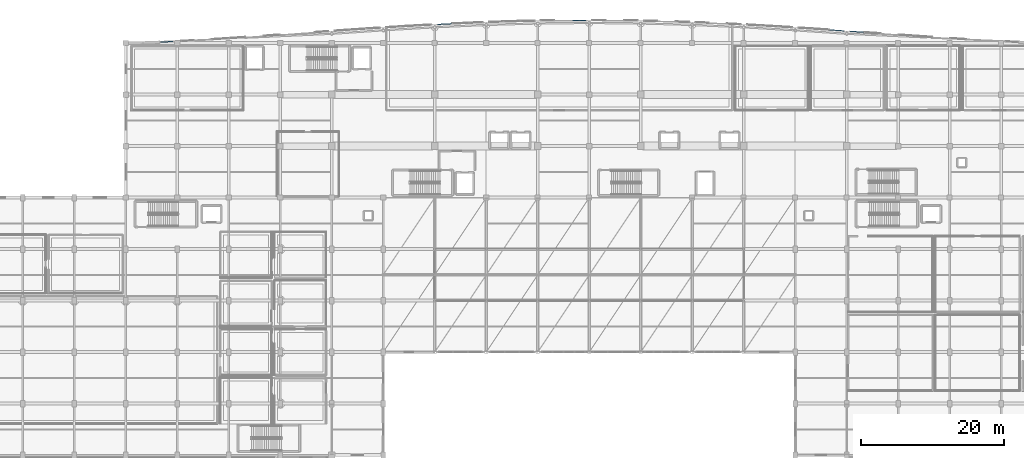
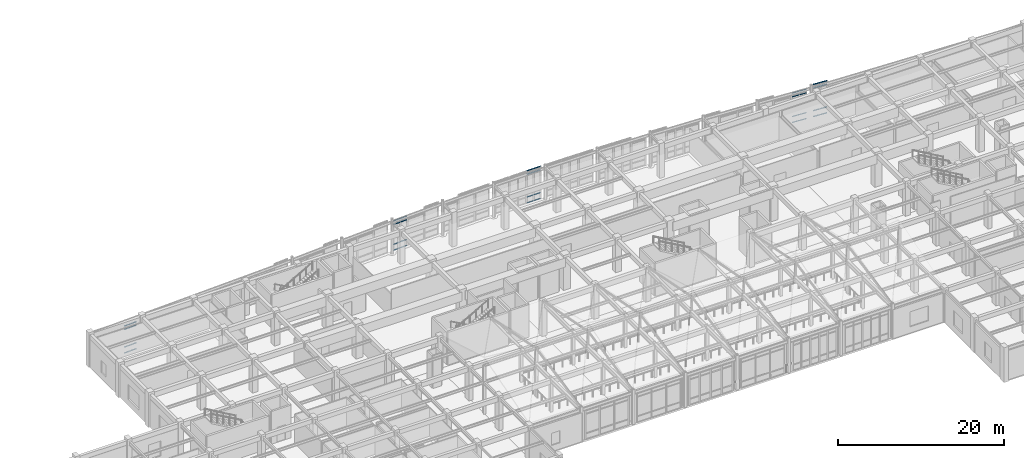
# One storey, part 66 of 117: 40 members, 5 elements without a shape of their own.
"""IFC4 building model written with IfcOpenShell, lengths in metres."""

import ifcopenshell
import ifcopenshell.guid

model = None  # the IFC model being written
_history = None  # IfcOwnerHistory: only IFC2X3 demands one
_inside = {}  # id of a spatial element -> (the spatial element, [elements in it])
_under = {}  # id of a project, library or spatial element -> (it, [spatial elements below it])
_declared = {}  # id of a project -> (the project, [libraries it declares])
_typed = {}  # id of a type object -> (the type object, [elements of that type])
_made_of = {}  # id of a material, layer set ... -> (it, [elements and type objects made of it])


def new_model(schema):
    """Start an empty IFC model of exactly this schema.

    Asked for "IFC4X3", IfcOpenShell would pick the latest addendum, in which some entities
    have other attributes; the version numbers below select the first issue.
    IFC2X3 requires an IfcOwnerHistory on every rooted entity: one is made here for all.
    """
    global model, _history
    if schema == "IFC4X3":
        model = ifcopenshell.file(schema_version=(4, 3, 0, 0))
    else:
        model = ifcopenshell.file(schema=schema)
    _inside.clear()
    _under.clear()
    _declared.clear()
    _typed.clear()
    _made_of.clear()
    _history = None
    if model.schema == "IFC2X3":
        org = make("IfcOrganization", Name="unknown")
        user = make(
            "IfcPersonAndOrganization",
            ThePerson=make("IfcPerson", FamilyName="unknown"),
            TheOrganization=org,
        )
        app = make(
            "IfcApplication",
            ApplicationDeveloper=org,
            Version="unknown",
            ApplicationFullName="unknown",
            ApplicationIdentifier="unknown",
        )
        _history = make(
            "IfcOwnerHistory",
            OwningUser=user,
            OwningApplication=app,
            ChangeAction="ADDED",
            CreationDate=0,
        )
    return model


def make(cls, **values):
    """One entity of the class cls with the attributes given. An attribute that is None is left unset."""
    return model.create_entity(
        cls, **{name: value for name, value in values.items() if value is not None}
    )


def rooted(cls, **values):
    """An entity with a GlobalId (a new one), such as an element, a storey or a relation."""
    return make(cls, GlobalId=ifcopenshell.guid.new(), OwnerHistory=_history, **values)


def si_unit(unit_type, name, prefix=None):
    """IfcSIUnit, for example si_unit("LENGTHUNIT", "METRE", prefix="MILLI")."""
    return make("IfcSIUnit", UnitType=unit_type, Prefix=prefix, Name=name)


def assignment(units):
    """IfcUnitAssignment: the units of a project."""
    return None if units is None else make("IfcUnitAssignment", Units=units)


def point(xyz):
    """IfcCartesianPoint."""
    return None if xyz is None else make("IfcCartesianPoint", Coordinates=xyz)


def direction(xyz):
    """IfcDirection."""
    return None if xyz is None else make("IfcDirection", DirectionRatios=xyz)


def frame(location, z_axis=None, x_axis=None):
    """IfcAxis2Placement3D, a coordinate frame: its origin and axes. An axis left out is left unset."""
    return make(
        "IfcAxis2Placement3D",
        Location=point(location),
        Axis=direction(z_axis),
        RefDirection=direction(x_axis),
    )


def frame_2d(location, x_axis=None):
    """IfcAxis2Placement2D, a coordinate frame in the plane: its origin and x axis."""
    return make(
        "IfcAxis2Placement2D", Location=point(location), RefDirection=direction(x_axis)
    )


def origin():
    """The frame at (0, 0, 0) with its axes left unset."""
    return frame((0.0, 0.0, 0.0))


def origin_2d():
    """The frame at (0, 0) in the plane with its x axis left unset."""
    return frame_2d((0.0, 0.0))


def place(relative_to, where):
    """IfcLocalPlacement: puts the frame where relative to a parent placement (None: the world)."""
    return make(
        "IfcLocalPlacement", PlacementRelTo=relative_to, RelativePlacement=where
    )


def context(
    kind, dimensions, precision=None, world=None, true_north=None, identifier=None
):
    """IfcGeometricRepresentationContext, for example the 3D "Model" context."""
    return make(
        "IfcGeometricRepresentationContext",
        ContextIdentifier=identifier,
        ContextType=kind,
        CoordinateSpaceDimension=dimensions,
        Precision=precision,
        WorldCoordinateSystem=world,
        TrueNorth=true_north,
    )


def subcontext(parent, identifier, kind, view, scale=None):
    """IfcGeometricRepresentationSubContext, for example "Body" below "Model"."""
    return make(
        "IfcGeometricRepresentationSubContext",
        ContextIdentifier=identifier,
        ContextType=kind,
        ParentContext=parent,
        TargetScale=scale,
        TargetView=view,
    )


def project(units=None, contexts=None):
    """IfcProject with its units and contexts."""
    return rooted(
        "IfcProject",
        Name="project",
        RepresentationContexts=contexts,
        UnitsInContext=assignment(units),
    )


def spatial(cls, under=None, at=None, **own):
    """A site, building, storey or space (cls), placed at a placement, below another one or the project."""
    s = rooted(cls, ObjectPlacement=at, **own)
    if under is not None:
        _under.setdefault(under.id(), (under, []))[1].append(s)
    return s


def profile(cls, at=None, kind="AREA", **sizes):
    """A parametric profile (cls). Its sizes go by their IFC names, for example OverallWidth=200.0."""
    return make(cls, ProfileType=kind, Position=at, **sizes)


def hollow_rectangle(**sizes):
    """IfcRectangleHollowProfileDef."""
    return profile("IfcRectangleHollowProfileDef", **sizes)


def extrude(swept, where, along, depth):
    """IfcExtrudedAreaSolid: the profile swept, set in the frame where, extruded along a direction by depth."""
    return make(
        "IfcExtrudedAreaSolid",
        SweptArea=swept,
        Position=where,
        ExtrudedDirection=direction(along),
        Depth=depth,
    )


def shape(context_of_items, identifier, shape_type, items):
    """IfcShapeRepresentation: the items that make up one representation, for example the "Body"."""
    return make(
        "IfcShapeRepresentation",
        ContextOfItems=context_of_items,
        RepresentationIdentifier=identifier,
        RepresentationType=shape_type,
        Items=items,
    )


def material(Name=None, Category=None):
    """IfcMaterial."""
    return make("IfcMaterial", Name=Name, Category=Category)


def layer(
    of_material, thickness, ventilated=None, Name=None, Category=None, Priority=None
):
    """IfcMaterialLayer: one layer of a wall or slab, of a material (None: an air gap)."""
    return make(
        "IfcMaterialLayer",
        Material=of_material,
        LayerThickness=thickness,
        IsVentilated=ventilated,
        Name=Name,
        Category=Category,
        Priority=Priority,
    )


def layer_set(layers, Name=None):
    """IfcMaterialLayerSet."""
    return make("IfcMaterialLayerSet", MaterialLayers=layers, LayerSetName=Name)


def material_profile(
    of_material, cross_section, Name=None, Category=None, Priority=None
):
    """IfcMaterialProfile: a cross section and its material."""
    return make(
        "IfcMaterialProfile",
        Name=Name,
        Material=of_material,
        Profile=cross_section,
        Priority=Priority,
        Category=Category,
    )


def profile_set(profiles, Name=None, composite=None):
    """IfcMaterialProfileSet."""
    return make(
        "IfcMaterialProfileSet",
        Name=Name,
        MaterialProfiles=profiles,
        CompositeProfile=composite,
    )


def made_of(thing, what):
    """Note that an element or type object is made of a material, layer set ...; save() writes the relation."""
    if what is not None:
        _made_of.setdefault(what.id(), (what, []))[1].append(thing)
    return thing


def type_object(cls, material=None, **own):
    """A type object (cls), such as IfcWallType, which elements share."""
    return made_of(rooted(cls, **own), material)


def element(
    cls,
    number,
    at=None,
    inside=None,
    cuts=None,
    type_object=None,
    material=None,
    context=None,
    identifier="Body",
    shape_type=None,
    held_by="IfcProductDefinitionShape",
    body=None,
    shapes=None,
    **own,
):
    """One element of the class cls, such as IfcWall. Its Tag is "e" and its number.

    at: its placement. inside: the storey or other place that contains it. cuts: it is an
    opening in that element (IfcRelVoidsElement). A single representation is given by context,
    identifier, shape_type and body (its items); several are given by shapes. held_by: the class
    of the entity that holds the representations. save() writes the other relations.
    """
    e = rooted(cls, Tag="e%d" % number, ObjectPlacement=at, **own)
    if body is not None:
        shapes = [shape(context, identifier, shape_type, body)]
    if shapes is not None:
        e.Representation = make(held_by, Representations=shapes)
    if inside is not None:
        _inside.setdefault(inside.id(), (inside, []))[1].append(e)
    if cuts is not None:
        rooted(
            "IfcRelVoidsElement", RelatingBuildingElement=cuts, RelatedOpeningElement=e
        )
    if type_object is not None:
        _typed.setdefault(type_object.id(), (type_object, []))[1].append(e)
    return made_of(e, material)


def aggregate(whole, parts):
    """IfcRelAggregates: a whole, such as a stair, and the parts it consists of."""
    return rooted("IfcRelAggregates", RelatingObject=whole, RelatedObjects=parts)


def save(model, path):
    """Write the relations noted so far, then the file.

    IfcRelAggregates (storeys below a building ...), IfcRelContainedInSpatialStructure (elements
    in a storey), IfcRelDefinesByType, IfcRelAssociatesMaterial and IfcRelDeclares: one each for
    every whole, place, type object, material and project.
    """
    for whole, parts in _under.values():
        aggregate(whole, parts)
    for where, things in _inside.values():
        rooted(
            "IfcRelContainedInSpatialStructure",
            RelatedElements=things,
            RelatingStructure=where,
        )
    for kind, things in _typed.values():
        rooted("IfcRelDefinesByType", RelatedObjects=things, RelatingType=kind)
    for what, things in _made_of.values():
        rooted("IfcRelAssociatesMaterial", RelatedObjects=things, RelatingMaterial=what)
    for by, libraries in _declared.values():
        rooted("IfcRelDeclares", RelatingContext=by, RelatedDefinitions=libraries)
    model.write(path)


model = new_model("IFC4")

# Units and contexts
model_context = context("Model", 3, precision=1e-05, world=origin(), true_north=direction((0.0, 1.0)))
body_context = subcontext(model_context, "Body", "Model", "MODEL_VIEW")
ifc_project = project(units=[si_unit("LENGTHUNIT", "METRE"), si_unit("AREAUNIT", "SQUARE_METRE"), si_unit("VOLUMEUNIT", "CUBIC_METRE"), si_unit("PLANEANGLEUNIT", "RADIAN"), si_unit("MASSUNIT", "GRAM", prefix="KILO")], contexts=[model_context])

# Site, building, storey
site_placement = place(None, origin())
site = spatial("IfcSite", under=ifc_project, at=site_placement, CompositionType="ELEMENT")
building_placement = place(site_placement, origin())
building = spatial("IfcBuilding", under=site, at=building_placement, Name="Carrowvane Square Congress Hotel", CompositionType="ELEMENT")
storey_placement = place(building_placement, frame((0.0, 0.0, 5.39990234375)))
storey = spatial("IfcBuildingStorey", under=building, at=storey_placement, Name="L01", CompositionType="ELEMENT", Elevation=5.39990234375)

# Curtain wall, members
ifc_material_1 = material(Name="Anodised aluminium", Category="aluminium")
ifc_layer_1 = layer(ifc_material_1, 0.23388671875)
ifc_layer_set_1 = layer_set([ifc_layer_1], Name="Anodised aluminium")
curtain_wall_type_1 = type_object("IfcCurtainWallType", Name="CW-SYS-7", PredefinedType="NOTDEFINED", material=ifc_layer_set_1)
curtain_wall_1_placement = place(storey_placement, origin())
curtain_wall_1 = element("IfcCurtainWall", 1, at=curtain_wall_1_placement, inside=storey, type_object=curtain_wall_type_1, Name="L01 unitised curtain wall 102", PredefinedType="NOTDEFINED")
ifc_material_2 = material(Name="Anodised aluminium", Category="aluminium")
ifc_material_profile_1 = material_profile(ifc_material_2, hollow_rectangle(XDim=0.06005859375, YDim=0.1298828125, WallThickness=0.00390625, at=origin_2d()), Name="CW-TR 60x130x4")
ifc_profile_set_1 = profile_set([ifc_material_profile_1], Name="Anodised aluminium")
member_type_1 = type_object("IfcMemberType", Name="CW-TRN-1", PredefinedType="USERDEFINED", material=ifc_profile_set_1)
member_1_placement = place(storey_placement, frame((131.659912109375, 115.24951171875, 0.030029296875), z_axis=(0.997561151835, -0.069797910781, 0.0), x_axis=(0.069797910781, 0.997561151835, 0.0)))
member_1 = element("IfcMember", 2, at=member_1_placement, type_object=member_type_1, Name="CW-7 transom 1.1", ObjectType="TRANSOM", PredefinedType="USERDEFINED", context=body_context, shape_type="SweptSolid", body=[
    extrude(hollow_rectangle(XDim=0.06005859375, YDim=0.1298828125, WallThickness=0.00390625, at=origin_2d()), origin(), (0.0, 0.0, 1.0), 0.933837890625),
])
member_2_placement = place(storey_placement, frame((131.659912109375, 115.24951171875, 0.900146484375), z_axis=(0.997561151835, -0.069797910781, 0.0), x_axis=(0.069797910781, 0.997561151835, 0.0)))
member_2 = element("IfcMember", 3, at=member_2_placement, type_object=member_type_1, Name="CW-7 transom 1.2", ObjectType="TRANSOM", PredefinedType="USERDEFINED", context=body_context, shape_type="SweptSolid", body=[
    extrude(hollow_rectangle(XDim=0.06005859375, YDim=0.1298828125, WallThickness=0.00390625, at=origin_2d()), origin(), (0.0, 0.0, 1.0), 0.933837890625),
])
member_3_placement = place(storey_placement, frame((131.659912109375, 115.24951171875, 3.8056640625), z_axis=(0.997561151835, -0.069797910781, 0.0), x_axis=(0.069797910781, 0.997561151835, 0.0)))
member_3 = element("IfcMember", 4, at=member_3_placement, type_object=member_type_1, Name="CW-7 transom 1.3", ObjectType="TRANSOM", PredefinedType="USERDEFINED", context=body_context, shape_type="SweptSolid", body=[
    extrude(hollow_rectangle(XDim=0.06005859375, YDim=0.1298828125, WallThickness=0.00390625, at=origin_2d()), origin(), (0.0, 0.0, 1.0), 0.933837890625),
])
member_4_placement = place(storey_placement, frame((131.659912109375, 115.24951171875, 4.32568359375), z_axis=(0.997561151835, -0.069797910781, 0.0), x_axis=(0.069797910781, 0.997561151835, 0.0)))
member_4 = element("IfcMember", 5, at=member_4_placement, type_object=member_type_1, Name="CW-7 transom 1.4", ObjectType="TRANSOM", PredefinedType="USERDEFINED", context=body_context, shape_type="SweptSolid", body=[
    extrude(hollow_rectangle(XDim=0.06005859375, YDim=0.1298828125, WallThickness=0.00390625, at=origin_2d()), origin(), (0.0, 0.0, 1.0), 0.933837890625),
])
member_5_placement = place(storey_placement, frame((132.6513671875, 115.18017578125, 0.030029296875), z_axis=(0.997578055403, -0.069555901111, 0.0), x_axis=(0.069555901111, 0.997578055403, 0.0)))
member_5 = element("IfcMember", 6, at=member_5_placement, type_object=member_type_1, Name="CW-7 transom 2.1", ObjectType="TRANSOM", PredefinedType="USERDEFINED", context=body_context, shape_type="SweptSolid", body=[
    extrude(hollow_rectangle(XDim=0.06005859375, YDim=0.1298828125, WallThickness=0.00390625, at=origin_2d()), origin(), (0.0, 0.0, 1.0), 0.93359375),
])
member_6_placement = place(storey_placement, frame((132.6513671875, 115.18017578125, 0.900146484375), z_axis=(0.997578055403, -0.069555901111, 0.0), x_axis=(0.069555901111, 0.997578055403, 0.0)))
member_6 = element("IfcMember", 7, at=member_6_placement, type_object=member_type_1, Name="CW-7 transom 2.2", ObjectType="TRANSOM", PredefinedType="USERDEFINED", context=body_context, shape_type="SweptSolid", body=[
    extrude(hollow_rectangle(XDim=0.06005859375, YDim=0.1298828125, WallThickness=0.00390625, at=origin_2d()), origin(), (0.0, 0.0, 1.0), 0.93359375),
])
member_7_placement = place(storey_placement, frame((132.6513671875, 115.18017578125, 3.8056640625), z_axis=(0.997578055403, -0.069555901111, 0.0), x_axis=(0.069555901111, 0.997578055403, 0.0)))
member_7 = element("IfcMember", 8, at=member_7_placement, type_object=member_type_1, Name="CW-7 transom 2.3", ObjectType="TRANSOM", PredefinedType="USERDEFINED", context=body_context, shape_type="SweptSolid", body=[
    extrude(hollow_rectangle(XDim=0.06005859375, YDim=0.1298828125, WallThickness=0.00390625, at=origin_2d()), origin(), (0.0, 0.0, 1.0), 0.93359375),
])
member_8_placement = place(storey_placement, frame((132.6513671875, 115.18017578125, 4.32568359375), z_axis=(0.997578055403, -0.069555901111, 0.0), x_axis=(0.069555901111, 0.997578055403, 0.0)))
member_8 = element("IfcMember", 9, at=member_8_placement, type_object=member_type_1, Name="CW-7 transom 2.4", ObjectType="TRANSOM", PredefinedType="USERDEFINED", context=body_context, shape_type="SweptSolid", body=[
    extrude(hollow_rectangle(XDim=0.06005859375, YDim=0.1298828125, WallThickness=0.00390625, at=origin_2d()), origin(), (0.0, 0.0, 1.0), 0.93359375),
])
aggregate(curtain_wall_1, [member_1, member_2, member_3, member_4, member_5, member_6, member_7, member_8])

ifc_material_3 = material(Name="Anodised aluminium", Category="aluminium")
ifc_layer_2 = layer(ifc_material_3, 0.24609375)
ifc_layer_set_2 = layer_set([ifc_layer_2], Name="Anodised aluminium")
curtain_wall_type_2 = type_object("IfcCurtainWallType", Name="CW-SYS-8", PredefinedType="NOTDEFINED", material=ifc_layer_set_2)
curtain_wall_2_placement = place(storey_placement, origin())
curtain_wall_2 = element("IfcCurtainWall", 10, at=curtain_wall_2_placement, inside=storey, type_object=curtain_wall_type_2, Name="L01 unitised curtain wall 63", PredefinedType="NOTDEFINED")
ifc_material_4 = material(Name="Anodised aluminium", Category="aluminium")
ifc_material_profile_2 = material_profile(ifc_material_4, hollow_rectangle(XDim=0.070068359375, YDim=0.14990234375, WallThickness=0.0048828125, at=origin_2d()), Name="CW-TR 70x150x5")
ifc_profile_set_2 = profile_set([ifc_material_profile_2], Name="Anodised aluminium")
member_type_2 = type_object("IfcMemberType", Name="CW-TRN-2", PredefinedType="USERDEFINED", material=ifc_profile_set_2)
member_9_placement = place(storey_placement, frame((38.06982421875, 113.544189453125, 0.03515625), z_axis=(0.99891720565, 0.04652328724, 0.0), x_axis=(-0.04652328724, 0.99891720565, 0.0)))
member_9 = element("IfcMember", 11, at=member_9_placement, type_object=member_type_2, Name="CW-8 transom 1.1", ObjectType="TRANSOM", PredefinedType="USERDEFINED", context=body_context, shape_type="SweptSolid", body=[
    extrude(hollow_rectangle(XDim=0.070068359375, YDim=0.14990234375, WallThickness=0.0048828125, at=origin_2d()), origin(), (0.0, 0.0, 1.0), 0.823974609375),
])
member_10_placement = place(storey_placement, frame((38.06982421875, 113.544189453125, 0.900146484375), z_axis=(0.99891720565, 0.04652328724, 0.0), x_axis=(-0.04652328724, 0.99891720565, 0.0)))
member_10 = element("IfcMember", 12, at=member_10_placement, type_object=member_type_2, Name="CW-8 transom 1.2", ObjectType="TRANSOM", PredefinedType="USERDEFINED", context=body_context, shape_type="SweptSolid", body=[
    extrude(hollow_rectangle(XDim=0.070068359375, YDim=0.14990234375, WallThickness=0.0048828125, at=origin_2d()), origin(), (0.0, 0.0, 1.0), 0.823974609375),
])
member_11_placement = place(storey_placement, frame((38.06982421875, 113.544189453125, 3.465087890625), z_axis=(0.99891720565, 0.04652328724, 0.0), x_axis=(-0.04652328724, 0.99891720565, 0.0)))
member_11 = element("IfcMember", 13, at=member_11_placement, type_object=member_type_2, Name="CW-8 transom 1.3", ObjectType="TRANSOM", PredefinedType="USERDEFINED", context=body_context, shape_type="SweptSolid", body=[
    extrude(hollow_rectangle(XDim=0.070068359375, YDim=0.14990234375, WallThickness=0.0048828125, at=origin_2d()), origin(), (0.0, 0.0, 1.0), 0.823974609375),
])
member_12_placement = place(storey_placement, frame((38.06982421875, 113.544189453125, 3.97998046875), z_axis=(0.99891720565, 0.04652328724, 0.0), x_axis=(-0.04652328724, 0.99891720565, 0.0)))
member_12 = element("IfcMember", 14, at=member_12_placement, type_object=member_type_2, Name="CW-8 transom 1.4", ObjectType="TRANSOM", PredefinedType="USERDEFINED", context=body_context, shape_type="SweptSolid", body=[
    extrude(hollow_rectangle(XDim=0.070068359375, YDim=0.14990234375, WallThickness=0.0048828125, at=origin_2d()), origin(), (0.0, 0.0, 1.0), 0.823974609375),
])
member_13_placement = place(storey_placement, frame((38.962646484375, 113.585693359375, 0.03515625), z_axis=(0.99891720565, 0.04652328724, 0.0), x_axis=(-0.04652328724, 0.99891720565, 0.0)))
member_13 = element("IfcMember", 15, at=member_13_placement, type_object=member_type_2, Name="CW-8 transom 2.1", ObjectType="TRANSOM", PredefinedType="USERDEFINED", context=body_context, shape_type="SweptSolid", body=[
    extrude(hollow_rectangle(XDim=0.070068359375, YDim=0.14990234375, WallThickness=0.0048828125, at=origin_2d()), origin(), (0.0, 0.0, 1.0), 0.823974609375),
])
member_14_placement = place(storey_placement, frame((38.962646484375, 113.585693359375, 0.900146484375), z_axis=(0.99891720565, 0.04652328724, 0.0), x_axis=(-0.04652328724, 0.99891720565, 0.0)))
member_14 = element("IfcMember", 16, at=member_14_placement, type_object=member_type_2, Name="CW-8 transom 2.2", ObjectType="TRANSOM", PredefinedType="USERDEFINED", context=body_context, shape_type="SweptSolid", body=[
    extrude(hollow_rectangle(XDim=0.070068359375, YDim=0.14990234375, WallThickness=0.0048828125, at=origin_2d()), origin(), (0.0, 0.0, 1.0), 0.823974609375),
])
member_15_placement = place(storey_placement, frame((38.962646484375, 113.585693359375, 3.465087890625), z_axis=(0.99891720565, 0.04652328724, 0.0), x_axis=(-0.04652328724, 0.99891720565, 0.0)))
member_15 = element("IfcMember", 17, at=member_15_placement, type_object=member_type_2, Name="CW-8 transom 2.3", ObjectType="TRANSOM", PredefinedType="USERDEFINED", context=body_context, shape_type="SweptSolid", body=[
    extrude(hollow_rectangle(XDim=0.070068359375, YDim=0.14990234375, WallThickness=0.0048828125, at=origin_2d()), origin(), (0.0, 0.0, 1.0), 0.823974609375),
])
member_16_placement = place(storey_placement, frame((38.962646484375, 113.585693359375, 3.97998046875), z_axis=(0.99891720565, 0.04652328724, 0.0), x_axis=(-0.04652328724, 0.99891720565, 0.0)))
member_16 = element("IfcMember", 18, at=member_16_placement, type_object=member_type_2, Name="CW-8 transom 2.4", ObjectType="TRANSOM", PredefinedType="USERDEFINED", context=body_context, shape_type="SweptSolid", body=[
    extrude(hollow_rectangle(XDim=0.070068359375, YDim=0.14990234375, WallThickness=0.0048828125, at=origin_2d()), origin(), (0.0, 0.0, 1.0), 0.823974609375),
])
aggregate(curtain_wall_2, [member_9, member_10, member_11, member_12, member_13, member_14, member_15, member_16])

curtain_wall_3_placement = place(storey_placement, origin())
curtain_wall_3 = element("IfcCurtainWall", 19, at=curtain_wall_3_placement, inside=storey, type_object=curtain_wall_type_2, Name="L01 unitised curtain wall 79", PredefinedType="NOTDEFINED")
member_17_placement = place(storey_placement, frame((76.83447265625, 116.01953125, 0.03515625), z_axis=(0.998738311193, 0.050217384997, 0.0), x_axis=(-0.050217384997, 0.998738311193, 0.0)))
member_17 = element("IfcMember", 20, at=member_17_placement, type_object=member_type_2, Name="CW-8 transom 1.1", ObjectType="TRANSOM", PredefinedType="USERDEFINED", context=body_context, shape_type="SweptSolid", body=[
    extrude(hollow_rectangle(XDim=0.070068359375, YDim=0.14990234375, WallThickness=0.0048828125, at=origin_2d()), origin(), (0.0, 0.0, 1.0), 0.9140625),
])
member_18_placement = place(storey_placement, frame((76.83447265625, 116.01953125, 0.900146484375), z_axis=(0.998738311193, 0.050217384997, 0.0), x_axis=(-0.050217384997, 0.998738311193, 0.0)))
member_18 = element("IfcMember", 21, at=member_18_placement, type_object=member_type_2, Name="CW-8 transom 1.2", ObjectType="TRANSOM", PredefinedType="USERDEFINED", context=body_context, shape_type="SweptSolid", body=[
    extrude(hollow_rectangle(XDim=0.070068359375, YDim=0.14990234375, WallThickness=0.0048828125, at=origin_2d()), origin(), (0.0, 0.0, 1.0), 0.9140625),
])
member_19_placement = place(storey_placement, frame((76.83447265625, 116.01953125, 3.8056640625), z_axis=(0.998738311193, 0.050217384997, 0.0), x_axis=(-0.050217384997, 0.998738311193, 0.0)))
member_19 = element("IfcMember", 22, at=member_19_placement, type_object=member_type_2, Name="CW-8 transom 1.3", ObjectType="TRANSOM", PredefinedType="USERDEFINED", context=body_context, shape_type="SweptSolid", body=[
    extrude(hollow_rectangle(XDim=0.070068359375, YDim=0.14990234375, WallThickness=0.0048828125, at=origin_2d()), origin(), (0.0, 0.0, 1.0), 0.9140625),
])
member_20_placement = place(storey_placement, frame((76.83447265625, 116.01953125, 4.32080078125), z_axis=(0.998738311193, 0.050217384997, 0.0), x_axis=(-0.050217384997, 0.998738311193, 0.0)))
member_20 = element("IfcMember", 23, at=member_20_placement, type_object=member_type_2, Name="CW-8 transom 1.4", ObjectType="TRANSOM", PredefinedType="USERDEFINED", context=body_context, shape_type="SweptSolid", body=[
    extrude(hollow_rectangle(XDim=0.070068359375, YDim=0.14990234375, WallThickness=0.0048828125, at=origin_2d()), origin(), (0.0, 0.0, 1.0), 0.9140625),
])
member_21_placement = place(storey_placement, frame((77.817138671875, 116.069091796875, 0.03515625), z_axis=(0.998738311193, 0.050217384997, 0.0), x_axis=(-0.050217384997, 0.998738311193, 0.0)))
member_21 = element("IfcMember", 24, at=member_21_placement, type_object=member_type_2, Name="CW-8 transom 2.1", ObjectType="TRANSOM", PredefinedType="USERDEFINED", context=body_context, shape_type="SweptSolid", body=[
    extrude(hollow_rectangle(XDim=0.070068359375, YDim=0.14990234375, WallThickness=0.0048828125, at=origin_2d()), origin(), (0.0, 0.0, 1.0), 0.9140625),
])
member_22_placement = place(storey_placement, frame((77.817138671875, 116.069091796875, 0.900146484375), z_axis=(0.998738311193, 0.050217384997, 0.0), x_axis=(-0.050217384997, 0.998738311193, 0.0)))
member_22 = element("IfcMember", 25, at=member_22_placement, type_object=member_type_2, Name="CW-8 transom 2.2", ObjectType="TRANSOM", PredefinedType="USERDEFINED", context=body_context, shape_type="SweptSolid", body=[
    extrude(hollow_rectangle(XDim=0.070068359375, YDim=0.14990234375, WallThickness=0.0048828125, at=origin_2d()), origin(), (0.0, 0.0, 1.0), 0.9140625),
])
member_23_placement = place(storey_placement, frame((77.817138671875, 116.069091796875, 3.8056640625), z_axis=(0.998738311193, 0.050217384997, 0.0), x_axis=(-0.050217384997, 0.998738311193, 0.0)))
member_23 = element("IfcMember", 26, at=member_23_placement, type_object=member_type_2, Name="CW-8 transom 2.3", ObjectType="TRANSOM", PredefinedType="USERDEFINED", context=body_context, shape_type="SweptSolid", body=[
    extrude(hollow_rectangle(XDim=0.070068359375, YDim=0.14990234375, WallThickness=0.0048828125, at=origin_2d()), origin(), (0.0, 0.0, 1.0), 0.9140625),
])
member_24_placement = place(storey_placement, frame((77.817138671875, 116.069091796875, 4.32080078125), z_axis=(0.998738311193, 0.050217384997, 0.0), x_axis=(-0.050217384997, 0.998738311193, 0.0)))
member_24 = element("IfcMember", 27, at=member_24_placement, type_object=member_type_2, Name="CW-8 transom 2.4", ObjectType="TRANSOM", PredefinedType="USERDEFINED", context=body_context, shape_type="SweptSolid", body=[
    extrude(hollow_rectangle(XDim=0.070068359375, YDim=0.14990234375, WallThickness=0.0048828125, at=origin_2d()), origin(), (0.0, 0.0, 1.0), 0.9140625),
])
aggregate(curtain_wall_3, [member_17, member_18, member_19, member_20, member_21, member_22, member_23, member_24])

curtain_wall_4_placement = place(storey_placement, origin())
curtain_wall_4 = element("IfcCurtainWall", 28, at=curtain_wall_4_placement, inside=storey, type_object=curtain_wall_type_2, Name="L01 unitised curtain wall 87", PredefinedType="NOTDEFINED")
member_25_placement = place(storey_placement, frame((95.669921875, 116.59228515625, 0.03515625), z_axis=(0.999994732189, 0.003245857935, 0.0), x_axis=(-0.003245857935, 0.999994732189, 0.0)))
member_25 = element("IfcMember", 29, at=member_25_placement, type_object=member_type_2, Name="CW-8 transom 1.1", ObjectType="TRANSOM", PredefinedType="USERDEFINED", context=body_context, shape_type="SweptSolid", body=[
    extrude(hollow_rectangle(XDim=0.070068359375, YDim=0.14990234375, WallThickness=0.0048828125, at=origin_2d()), origin(), (0.0, 0.0, 1.0), 0.902587890625),
])
member_26_placement = place(storey_placement, frame((95.669921875, 116.59228515625, 0.900146484375), z_axis=(0.999994732189, 0.003245857935, 0.0), x_axis=(-0.003245857935, 0.999994732189, 0.0)))
member_26 = element("IfcMember", 30, at=member_26_placement, type_object=member_type_2, Name="CW-8 transom 1.2", ObjectType="TRANSOM", PredefinedType="USERDEFINED", context=body_context, shape_type="SweptSolid", body=[
    extrude(hollow_rectangle(XDim=0.070068359375, YDim=0.14990234375, WallThickness=0.0048828125, at=origin_2d()), origin(), (0.0, 0.0, 1.0), 0.902587890625),
])
member_27_placement = place(storey_placement, frame((95.669921875, 116.59228515625, 4.22998046875), z_axis=(0.999994732189, 0.003245857935, 0.0), x_axis=(-0.003245857935, 0.999994732189, 0.0)))
member_27 = element("IfcMember", 31, at=member_27_placement, type_object=member_type_2, Name="CW-8 transom 1.3", ObjectType="TRANSOM", PredefinedType="USERDEFINED", context=body_context, shape_type="SweptSolid", body=[
    extrude(hollow_rectangle(XDim=0.070068359375, YDim=0.14990234375, WallThickness=0.0048828125, at=origin_2d()), origin(), (0.0, 0.0, 1.0), 0.902587890625),
])
member_28_placement = place(storey_placement, frame((95.669921875, 116.59228515625, 4.7451171875), z_axis=(0.999994732189, 0.003245857935, 0.0), x_axis=(-0.003245857935, 0.999994732189, 0.0)))
member_28 = element("IfcMember", 32, at=member_28_placement, type_object=member_type_2, Name="CW-8 transom 1.4", ObjectType="TRANSOM", PredefinedType="USERDEFINED", context=body_context, shape_type="SweptSolid", body=[
    extrude(hollow_rectangle(XDim=0.070068359375, YDim=0.14990234375, WallThickness=0.0048828125, at=origin_2d()), origin(), (0.0, 0.0, 1.0), 0.902587890625),
])
member_29_placement = place(storey_placement, frame((96.642578125, 116.595458984375, 0.03515625), z_axis=(0.999993817647, 0.003516342881, 0.0), x_axis=(-0.003516342881, 0.999993817647, 0.0)))
member_29 = element("IfcMember", 33, at=member_29_placement, type_object=member_type_2, Name="CW-8 transom 2.1", ObjectType="TRANSOM", PredefinedType="USERDEFINED", context=body_context, shape_type="SweptSolid", body=[
    extrude(hollow_rectangle(XDim=0.070068359375, YDim=0.14990234375, WallThickness=0.0048828125, at=origin_2d()), origin(), (0.0, 0.0, 1.0), 0.902587890625),
])
member_30_placement = place(storey_placement, frame((96.642578125, 116.595458984375, 0.900146484375), z_axis=(0.999993817647, 0.003516342881, 0.0), x_axis=(-0.003516342881, 0.999993817647, 0.0)))
member_30 = element("IfcMember", 34, at=member_30_placement, type_object=member_type_2, Name="CW-8 transom 2.2", ObjectType="TRANSOM", PredefinedType="USERDEFINED", context=body_context, shape_type="SweptSolid", body=[
    extrude(hollow_rectangle(XDim=0.070068359375, YDim=0.14990234375, WallThickness=0.0048828125, at=origin_2d()), origin(), (0.0, 0.0, 1.0), 0.902587890625),
])
member_31_placement = place(storey_placement, frame((96.642578125, 116.595458984375, 4.22998046875), z_axis=(0.999993817647, 0.003516342881, 0.0), x_axis=(-0.003516342881, 0.999993817647, 0.0)))
member_31 = element("IfcMember", 35, at=member_31_placement, type_object=member_type_2, Name="CW-8 transom 2.3", ObjectType="TRANSOM", PredefinedType="USERDEFINED", context=body_context, shape_type="SweptSolid", body=[
    extrude(hollow_rectangle(XDim=0.070068359375, YDim=0.14990234375, WallThickness=0.0048828125, at=origin_2d()), origin(), (0.0, 0.0, 1.0), 0.902587890625),
])
member_32_placement = place(storey_placement, frame((96.642578125, 116.595458984375, 4.7451171875), z_axis=(0.999993817647, 0.003516342881, 0.0), x_axis=(-0.003516342881, 0.999993817647, 0.0)))
member_32 = element("IfcMember", 36, at=member_32_placement, type_object=member_type_2, Name="CW-8 transom 2.4", ObjectType="TRANSOM", PredefinedType="USERDEFINED", context=body_context, shape_type="SweptSolid", body=[
    extrude(hollow_rectangle(XDim=0.070068359375, YDim=0.14990234375, WallThickness=0.0048828125, at=origin_2d()), origin(), (0.0, 0.0, 1.0), 0.902587890625),
])
aggregate(curtain_wall_4, [member_25, member_26, member_27, member_28, member_29, member_30, member_31, member_32])

curtain_wall_5_placement = place(storey_placement, origin())
curtain_wall_5 = element("IfcCurtainWall", 37, at=curtain_wall_5_placement, inside=storey, type_object=curtain_wall_type_2, Name="L01 unitised curtain wall 103", PredefinedType="NOTDEFINED")
member_33_placement = place(storey_placement, frame((134.48046875, 115.0517578125, 0.03515625), z_axis=(0.997485024842, -0.070877536745, 0.0), x_axis=(0.070877536745, 0.997485024842, 0.0)))
member_33 = element("IfcMember", 38, at=member_33_placement, type_object=member_type_2, Name="CW-8 transom 1.1", ObjectType="TRANSOM", PredefinedType="USERDEFINED", context=body_context, shape_type="SweptSolid", body=[
    extrude(hollow_rectangle(XDim=0.070068359375, YDim=0.14990234375, WallThickness=0.0048828125, at=origin_2d()), origin(), (0.0, 0.0, 1.0), 0.89208984375),
])
member_34_placement = place(storey_placement, frame((134.48046875, 115.0517578125, 0.900146484375), z_axis=(0.997485024842, -0.070877536745, 0.0), x_axis=(0.070877536745, 0.997485024842, 0.0)))
member_34 = element("IfcMember", 39, at=member_34_placement, type_object=member_type_2, Name="CW-8 transom 1.2", ObjectType="TRANSOM", PredefinedType="USERDEFINED", context=body_context, shape_type="SweptSolid", body=[
    extrude(hollow_rectangle(XDim=0.070068359375, YDim=0.14990234375, WallThickness=0.0048828125, at=origin_2d()), origin(), (0.0, 0.0, 1.0), 0.89208984375),
])
member_35_placement = place(storey_placement, frame((134.48046875, 115.0517578125, 4.22998046875), z_axis=(0.997485024842, -0.070877536745, 0.0), x_axis=(0.070877536745, 0.997485024842, 0.0)))
member_35 = element("IfcMember", 40, at=member_35_placement, type_object=member_type_2, Name="CW-8 transom 1.3", ObjectType="TRANSOM", PredefinedType="USERDEFINED", context=body_context, shape_type="SweptSolid", body=[
    extrude(hollow_rectangle(XDim=0.070068359375, YDim=0.14990234375, WallThickness=0.0048828125, at=origin_2d()), origin(), (0.0, 0.0, 1.0), 0.89208984375),
])
member_36_placement = place(storey_placement, frame((134.48046875, 115.0517578125, 4.7451171875), z_axis=(0.997485024842, -0.070877536745, 0.0), x_axis=(0.070877536745, 0.997485024842, 0.0)))
member_36 = element("IfcMember", 41, at=member_36_placement, type_object=member_type_2, Name="CW-8 transom 1.4", ObjectType="TRANSOM", PredefinedType="USERDEFINED", context=body_context, shape_type="SweptSolid", body=[
    extrude(hollow_rectangle(XDim=0.070068359375, YDim=0.14990234375, WallThickness=0.0048828125, at=origin_2d()), origin(), (0.0, 0.0, 1.0), 0.89208984375),
])
member_37_placement = place(storey_placement, frame((135.440185546875, 114.9833984375, 0.03515625), z_axis=(0.997486399037, -0.070858194556, 0.0), x_axis=(0.070858194556, 0.997486399037, 0.0)))
member_37 = element("IfcMember", 42, at=member_37_placement, type_object=member_type_2, Name="CW-8 transom 2.1", ObjectType="TRANSOM", PredefinedType="USERDEFINED", context=body_context, shape_type="SweptSolid", body=[
    extrude(hollow_rectangle(XDim=0.070068359375, YDim=0.14990234375, WallThickness=0.0048828125, at=origin_2d()), origin(), (0.0, 0.0, 1.0), 0.892333984375),
])
member_38_placement = place(storey_placement, frame((135.440185546875, 114.9833984375, 0.900146484375), z_axis=(0.997486399037, -0.070858194556, 0.0), x_axis=(0.070858194556, 0.997486399037, 0.0)))
member_38 = element("IfcMember", 43, at=member_38_placement, type_object=member_type_2, Name="CW-8 transom 2.2", ObjectType="TRANSOM", PredefinedType="USERDEFINED", context=body_context, shape_type="SweptSolid", body=[
    extrude(hollow_rectangle(XDim=0.070068359375, YDim=0.14990234375, WallThickness=0.0048828125, at=origin_2d()), origin(), (0.0, 0.0, 1.0), 0.892333984375),
])
member_39_placement = place(storey_placement, frame((135.440185546875, 114.9833984375, 4.22998046875), z_axis=(0.997486399037, -0.070858194556, 0.0), x_axis=(0.070858194556, 0.997486399037, 0.0)))
member_39 = element("IfcMember", 44, at=member_39_placement, type_object=member_type_2, Name="CW-8 transom 2.3", ObjectType="TRANSOM", PredefinedType="USERDEFINED", context=body_context, shape_type="SweptSolid", body=[
    extrude(hollow_rectangle(XDim=0.070068359375, YDim=0.14990234375, WallThickness=0.0048828125, at=origin_2d()), origin(), (0.0, 0.0, 1.0), 0.892333984375),
])
member_40_placement = place(storey_placement, frame((135.440185546875, 114.9833984375, 4.7451171875), z_axis=(0.997486399037, -0.070858194556, 0.0), x_axis=(0.070858194556, 0.997486399037, 0.0)))
member_40 = element("IfcMember", 45, at=member_40_placement, type_object=member_type_2, Name="CW-8 transom 2.4", ObjectType="TRANSOM", PredefinedType="USERDEFINED", context=body_context, shape_type="SweptSolid", body=[
    extrude(hollow_rectangle(XDim=0.070068359375, YDim=0.14990234375, WallThickness=0.0048828125, at=origin_2d()), origin(), (0.0, 0.0, 1.0), 0.892333984375),
])
aggregate(curtain_wall_5, [member_33, member_34, member_35, member_36, member_37, member_38, member_39, member_40])

save(model, "model.ifc")
